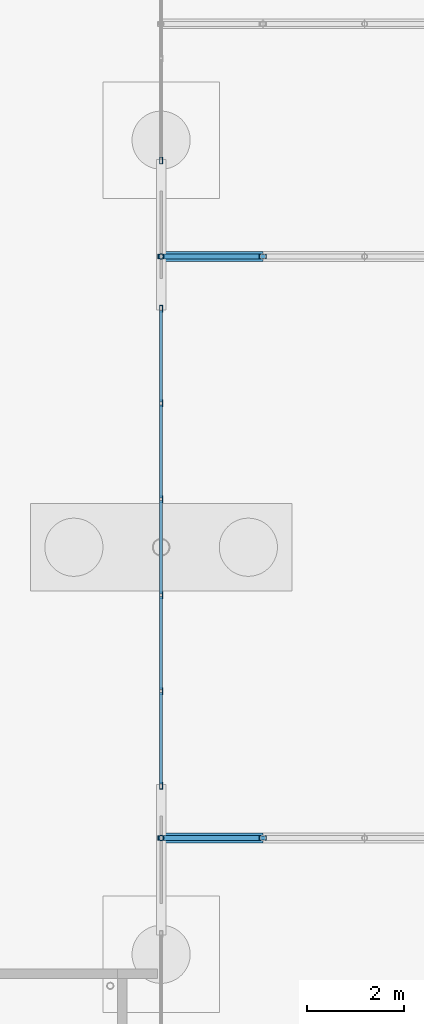
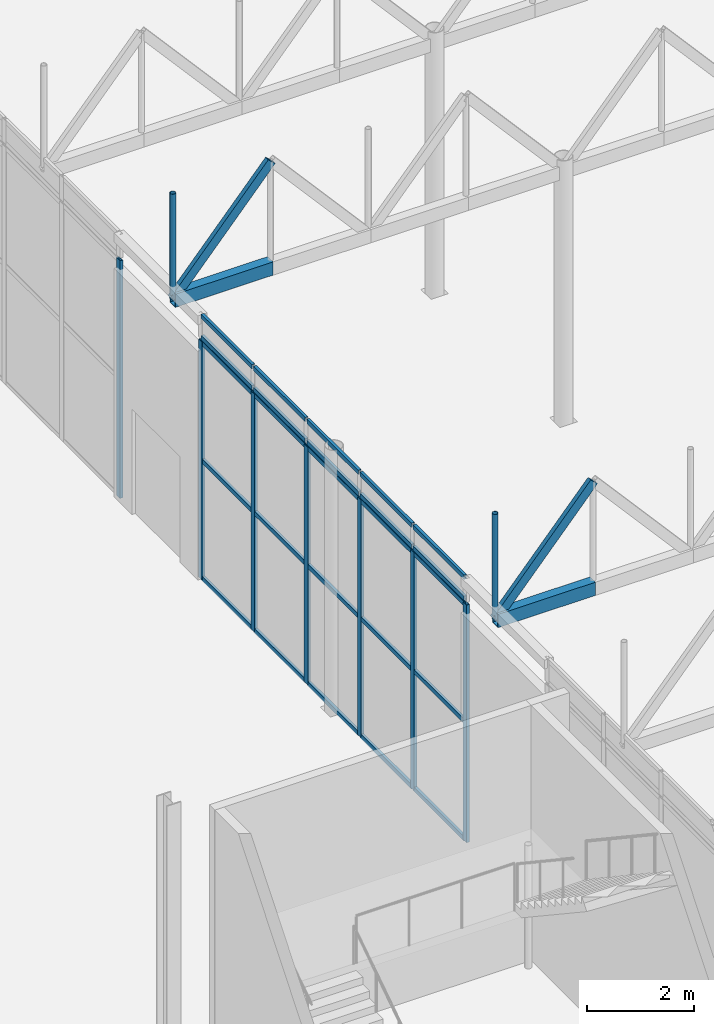
# One storey, part 111 of 212: 38 members, 3 elements without a shape of their own.
"""IFC4 building model written with IfcOpenShell, lengths in metres."""

import ifcopenshell
import ifcopenshell.guid

model = None  # the IFC model being written
_history = None  # IfcOwnerHistory: only IFC2X3 demands one
_inside = {}  # id of a spatial element -> (the spatial element, [elements in it])
_under = {}  # id of a project, library or spatial element -> (it, [spatial elements below it])
_declared = {}  # id of a project -> (the project, [libraries it declares])
_typed = {}  # id of a type object -> (the type object, [elements of that type])
_made_of = {}  # id of a material, layer set ... -> (it, [elements and type objects made of it])


def new_model(schema):
    """Start an empty IFC model of exactly this schema.

    Asked for "IFC4X3", IfcOpenShell would pick the latest addendum, in which some entities
    have other attributes; the version numbers below select the first issue.
    IFC2X3 requires an IfcOwnerHistory on every rooted entity: one is made here for all.
    """
    global model, _history
    if schema == "IFC4X3":
        model = ifcopenshell.file(schema_version=(4, 3, 0, 0))
    else:
        model = ifcopenshell.file(schema=schema)
    _inside.clear()
    _under.clear()
    _declared.clear()
    _typed.clear()
    _made_of.clear()
    _history = None
    if model.schema == "IFC2X3":
        org = make("IfcOrganization", Name="unknown")
        user = make(
            "IfcPersonAndOrganization",
            ThePerson=make("IfcPerson", FamilyName="unknown"),
            TheOrganization=org,
        )
        app = make(
            "IfcApplication",
            ApplicationDeveloper=org,
            Version="unknown",
            ApplicationFullName="unknown",
            ApplicationIdentifier="unknown",
        )
        _history = make(
            "IfcOwnerHistory",
            OwningUser=user,
            OwningApplication=app,
            ChangeAction="ADDED",
            CreationDate=0,
        )
    return model


def make(cls, **values):
    """One entity of the class cls with the attributes given. An attribute that is None is left unset."""
    return model.create_entity(
        cls, **{name: value for name, value in values.items() if value is not None}
    )


def rooted(cls, **values):
    """An entity with a GlobalId (a new one), such as an element, a storey or a relation."""
    return make(cls, GlobalId=ifcopenshell.guid.new(), OwnerHistory=_history, **values)


def si_unit(unit_type, name, prefix=None):
    """IfcSIUnit, for example si_unit("LENGTHUNIT", "METRE", prefix="MILLI")."""
    return make("IfcSIUnit", UnitType=unit_type, Prefix=prefix, Name=name)


def assignment(units):
    """IfcUnitAssignment: the units of a project."""
    return None if units is None else make("IfcUnitAssignment", Units=units)


def point(xyz):
    """IfcCartesianPoint."""
    return None if xyz is None else make("IfcCartesianPoint", Coordinates=xyz)


def direction(xyz):
    """IfcDirection."""
    return None if xyz is None else make("IfcDirection", DirectionRatios=xyz)


def frame(location, z_axis=None, x_axis=None):
    """IfcAxis2Placement3D, a coordinate frame: its origin and axes. An axis left out is left unset."""
    return make(
        "IfcAxis2Placement3D",
        Location=point(location),
        Axis=direction(z_axis),
        RefDirection=direction(x_axis),
    )


def frame_2d(location, x_axis=None):
    """IfcAxis2Placement2D, a coordinate frame in the plane: its origin and x axis."""
    return make(
        "IfcAxis2Placement2D", Location=point(location), RefDirection=direction(x_axis)
    )


def origin():
    """The frame at (0, 0, 0) with its axes left unset."""
    return frame((0.0, 0.0, 0.0))


def origin_2d():
    """The frame at (0, 0) in the plane with its x axis left unset."""
    return frame_2d((0.0, 0.0))


def place(relative_to, where):
    """IfcLocalPlacement: puts the frame where relative to a parent placement (None: the world)."""
    return make(
        "IfcLocalPlacement", PlacementRelTo=relative_to, RelativePlacement=where
    )


def context(
    kind, dimensions, precision=None, world=None, true_north=None, identifier=None
):
    """IfcGeometricRepresentationContext, for example the 3D "Model" context."""
    return make(
        "IfcGeometricRepresentationContext",
        ContextIdentifier=identifier,
        ContextType=kind,
        CoordinateSpaceDimension=dimensions,
        Precision=precision,
        WorldCoordinateSystem=world,
        TrueNorth=true_north,
    )


def subcontext(parent, identifier, kind, view, scale=None):
    """IfcGeometricRepresentationSubContext, for example "Body" below "Model"."""
    return make(
        "IfcGeometricRepresentationSubContext",
        ContextIdentifier=identifier,
        ContextType=kind,
        ParentContext=parent,
        TargetScale=scale,
        TargetView=view,
    )


def project(units=None, contexts=None):
    """IfcProject with its units and contexts."""
    return rooted(
        "IfcProject",
        Name="project",
        RepresentationContexts=contexts,
        UnitsInContext=assignment(units),
    )


def spatial(cls, under=None, at=None, **own):
    """A site, building, storey or space (cls), placed at a placement, below another one or the project."""
    s = rooted(cls, ObjectPlacement=at, **own)
    if under is not None:
        _under.setdefault(under.id(), (under, []))[1].append(s)
    return s


def profile(cls, at=None, kind="AREA", **sizes):
    """A parametric profile (cls). Its sizes go by their IFC names, for example OverallWidth=200.0."""
    return make(cls, ProfileType=kind, Position=at, **sizes)


def hollow_rectangle(**sizes):
    """IfcRectangleHollowProfileDef."""
    return profile("IfcRectangleHollowProfileDef", **sizes)


def hollow_circle(**sizes):
    """IfcCircleHollowProfileDef."""
    return profile("IfcCircleHollowProfileDef", **sizes)


def extrude(swept, where, along, depth):
    """IfcExtrudedAreaSolid: the profile swept, set in the frame where, extruded along a direction by depth."""
    return make(
        "IfcExtrudedAreaSolid",
        SweptArea=swept,
        Position=where,
        ExtrudedDirection=direction(along),
        Depth=depth,
    )


def shape(context_of_items, identifier, shape_type, items):
    """IfcShapeRepresentation: the items that make up one representation, for example the "Body"."""
    return make(
        "IfcShapeRepresentation",
        ContextOfItems=context_of_items,
        RepresentationIdentifier=identifier,
        RepresentationType=shape_type,
        Items=items,
    )


def material(Name=None, Category=None):
    """IfcMaterial."""
    return make("IfcMaterial", Name=Name, Category=Category)


def material_profile(
    of_material, cross_section, Name=None, Category=None, Priority=None
):
    """IfcMaterialProfile: a cross section and its material."""
    return make(
        "IfcMaterialProfile",
        Name=Name,
        Material=of_material,
        Profile=cross_section,
        Priority=Priority,
        Category=Category,
    )


def profile_set(profiles, Name=None, composite=None):
    """IfcMaterialProfileSet."""
    return make(
        "IfcMaterialProfileSet",
        Name=Name,
        MaterialProfiles=profiles,
        CompositeProfile=composite,
    )


def made_of(thing, what):
    """Note that an element or type object is made of a material, layer set ...; save() writes the relation."""
    if what is not None:
        _made_of.setdefault(what.id(), (what, []))[1].append(thing)
    return thing


def type_object(cls, material=None, **own):
    """A type object (cls), such as IfcWallType, which elements share."""
    return made_of(rooted(cls, **own), material)


def element(
    cls,
    number,
    at=None,
    inside=None,
    cuts=None,
    type_object=None,
    material=None,
    context=None,
    identifier="Body",
    shape_type=None,
    held_by="IfcProductDefinitionShape",
    body=None,
    shapes=None,
    **own,
):
    """One element of the class cls, such as IfcWall. Its Tag is "e" and its number.

    at: its placement. inside: the storey or other place that contains it. cuts: it is an
    opening in that element (IfcRelVoidsElement). A single representation is given by context,
    identifier, shape_type and body (its items); several are given by shapes. held_by: the class
    of the entity that holds the representations. save() writes the other relations.
    """
    e = rooted(cls, Tag="e%d" % number, ObjectPlacement=at, **own)
    if body is not None:
        shapes = [shape(context, identifier, shape_type, body)]
    if shapes is not None:
        e.Representation = make(held_by, Representations=shapes)
    if inside is not None:
        _inside.setdefault(inside.id(), (inside, []))[1].append(e)
    if cuts is not None:
        rooted(
            "IfcRelVoidsElement", RelatingBuildingElement=cuts, RelatedOpeningElement=e
        )
    if type_object is not None:
        _typed.setdefault(type_object.id(), (type_object, []))[1].append(e)
    return made_of(e, material)


def aggregate(whole, parts):
    """IfcRelAggregates: a whole, such as a stair, and the parts it consists of."""
    return rooted("IfcRelAggregates", RelatingObject=whole, RelatedObjects=parts)


def save(model, path):
    """Write the relations noted so far, then the file.

    IfcRelAggregates (storeys below a building ...), IfcRelContainedInSpatialStructure (elements
    in a storey), IfcRelDefinesByType, IfcRelAssociatesMaterial and IfcRelDeclares: one each for
    every whole, place, type object, material and project.
    """
    for whole, parts in _under.values():
        aggregate(whole, parts)
    for where, things in _inside.values():
        rooted(
            "IfcRelContainedInSpatialStructure",
            RelatedElements=things,
            RelatingStructure=where,
        )
    for kind, things in _typed.values():
        rooted("IfcRelDefinesByType", RelatedObjects=things, RelatingType=kind)
    for what, things in _made_of.values():
        rooted("IfcRelAssociatesMaterial", RelatedObjects=things, RelatingMaterial=what)
    for by, libraries in _declared.values():
        rooted("IfcRelDeclares", RelatingContext=by, RelatedDefinitions=libraries)
    model.write(path)


model = new_model("IFC4")

# Units and contexts
model_context = context("Model", 3, precision=1e-05, world=origin(), true_north=direction((0.0, 1.0)))
body_context = subcontext(model_context, "Body", "Model", "MODEL_VIEW")
ifc_project = project(units=[si_unit("LENGTHUNIT", "METRE"), si_unit("AREAUNIT", "SQUARE_METRE"), si_unit("VOLUMEUNIT", "CUBIC_METRE"), si_unit("PLANEANGLEUNIT", "RADIAN"), si_unit("MASSUNIT", "GRAM", prefix="KILO")], contexts=[model_context])

# Site, building, storey
site_placement = place(None, origin())
site = spatial("IfcSite", under=ifc_project, at=site_placement, CompositionType="ELEMENT")
building_placement = place(site_placement, origin())
building = spatial("IfcBuilding", under=site, at=building_placement, Name="Catenary Quay Ferry Terminal", CompositionType="ELEMENT")
storey_placement = place(building_placement, origin())
storey = spatial("IfcBuildingStorey", under=building, at=storey_placement, Name="L00", CompositionType="ELEMENT", Elevation=0.0)

# Members
ifc_material_1 = material(Name="Steel S355", Category="steel")
ifc_material_profile_1 = material_profile(ifc_material_1, hollow_rectangle(XDim=0.10009765625, YDim=0.199951171875, WallThickness=0.008056640625, at=origin_2d()), Name="RHS 200x100x8")
ifc_profile_set_1 = profile_set([ifc_material_profile_1], Name="Steel S355")
member_type_1 = type_object("IfcMemberType", Name="BR3 RHS 200x100x8", PredefinedType="BRACE", material=ifc_profile_set_1)
for number, where, z_axis, x_axis, name in (
    (1, (92.39990234375, 78.0, 5.699951171875), (0.65849918825, 0.0, 0.752581436839), (0.0, 1.0, 0.0), "Bridge diagonal BB1N-D01"),
    (2, (92.39990234375, 90.0, 5.699951171875), (0.65849918825, 0.0, 0.752581436839), (0.0, 1.0, 0.0), "Bridge diagonal BB2S-D01"),
):
    element("IfcMember", number, at=place(storey_placement, frame(where, z_axis=z_axis, x_axis=x_axis)), inside=storey, type_object=member_type_1, Name=name, PredefinedType="BRACE", context=body_context, shape_type="SweptSolid", body=[
        extrude(hollow_rectangle(XDim=0.10009765625, YDim=0.199951171875, WallThickness=0.008056640625, at=origin_2d()), origin(), (0.0, 0.0, 1.0), 3.189208984375),
    ])
ifc_material_2 = material(Name="Steel S355", Category="steel")
ifc_material_profile_2 = material_profile(ifc_material_2, hollow_circle(Radius=0.05712890625, WallThickness=0.00634765625, at=origin_2d()), Name="CHS 114.3x6.3")
ifc_profile_set_2 = profile_set([ifc_material_profile_2], Name="Steel S355")
member_type_2 = type_object("IfcMemberType", Name="HG1 CHS 114.3x6.3", PredefinedType="POST", material=ifc_profile_set_2)
for number, where, z_axis, x_axis, name in (
    (3, (92.39990234375, 78.0, 5.699951171875), (0.0, 0.0, 1.0), (1.0, 0.0, 0.0), "Bridge post BB1N-P01"),
    (4, (92.39990234375, 90.0, 5.699951171875), (0.0, 0.0, 1.0), (1.0, 0.0, 0.0), "Bridge post BB2S-P01"),
):
    element("IfcMember", number, at=place(storey_placement, frame(where, z_axis=z_axis, x_axis=x_axis)), inside=storey, type_object=member_type_2, Name=name, PredefinedType="POST", context=body_context, shape_type="SweptSolid", body=[
        extrude(hollow_circle(Radius=0.05712890625, WallThickness=0.00634765625, at=origin_2d()), origin(), (0.0, 0.0, 1.0), 2.400146484375),
    ])

# Curtain wall, members
ifc_material_3 = material(Name="Aluminium and glass", Category="aluminium")
curtain_wall_type_1 = type_object("IfcCurtainWallType", Name="CWG", PredefinedType="NOTDEFINED", material=ifc_material_3)
curtain_wall_1_placement = place(storey_placement, origin())
curtain_wall_1 = element("IfcCurtainWall", 5, at=curtain_wall_1_placement, inside=storey, type_object=curtain_wall_type_1, Name="Gable arrivals hall curtain wall CW7", PredefinedType="NOTDEFINED")
ifc_material_4 = material(Name="Aluminium", Category="aluminium")
ifc_material_profile_3 = material_profile(ifc_material_4, hollow_rectangle(XDim=0.06005859375, YDim=0.139892578125, WallThickness=0.006103515625, at=origin_2d()), Name="MU2")
ifc_profile_set_3 = profile_set([ifc_material_profile_3], Name="Aluminium")
member_type_3 = type_object("IfcMemberType", Name="MU2", PredefinedType="MULLION", material=ifc_profile_set_3)
member_1_placement = place(storey_placement, frame((92.39990234375, 79.080078125, 0.0), z_axis=(0.0, 0.0, 1.0), x_axis=(-1.0, 0.0, 0.0)))
member_1 = element("IfcMember", 6, at=member_1_placement, type_object=member_type_3, Name="CW7 mullion 1", PredefinedType="MULLION", context=body_context, shape_type="SweptSolid", body=[
    extrude(hollow_rectangle(XDim=0.06005859375, YDim=0.139892578125, WallThickness=0.006103515625, at=origin_2d()), origin(), (0.0, 0.0, 1.0), 5.39990234375),
])
member_2_placement = place(storey_placement, frame((92.39990234375, 81.030029296875, 0.0), z_axis=(0.0, 0.0, 1.0), x_axis=(-1.0, 0.0, 0.0)))
member_2 = element("IfcMember", 7, at=member_2_placement, type_object=member_type_3, Name="CW7 mullion 2", PredefinedType="MULLION", context=body_context, shape_type="SweptSolid", body=[
    extrude(hollow_rectangle(XDim=0.06005859375, YDim=0.139892578125, WallThickness=0.006103515625, at=origin_2d()), origin(), (0.0, 0.0, 1.0), 5.39990234375),
])
member_3_placement = place(storey_placement, frame((92.39990234375, 83.010009765625, 0.0), z_axis=(0.0, 0.0, 1.0), x_axis=(-1.0, 0.0, 0.0)))
member_3 = element("IfcMember", 8, at=member_3_placement, type_object=member_type_3, Name="CW7 mullion 3", PredefinedType="MULLION", context=body_context, shape_type="SweptSolid", body=[
    extrude(hollow_rectangle(XDim=0.06005859375, YDim=0.139892578125, WallThickness=0.006103515625, at=origin_2d()), origin(), (0.0, 0.0, 1.0), 5.39990234375),
])
member_4_placement = place(storey_placement, frame((92.39990234375, 84.989990234375, 0.0), z_axis=(0.0, 0.0, 1.0), x_axis=(-1.0, 0.0, 0.0)))
member_4 = element("IfcMember", 9, at=member_4_placement, type_object=member_type_3, Name="CW7 mullion 4", PredefinedType="MULLION", context=body_context, shape_type="SweptSolid", body=[
    extrude(hollow_rectangle(XDim=0.06005859375, YDim=0.139892578125, WallThickness=0.006103515625, at=origin_2d()), origin(), (0.0, 0.0, 1.0), 5.39990234375),
])
member_5_placement = place(storey_placement, frame((92.39990234375, 86.969970703125, 0.0), z_axis=(0.0, 0.0, 1.0), x_axis=(-1.0, 0.0, 0.0)))
member_5 = element("IfcMember", 10, at=member_5_placement, type_object=member_type_3, Name="CW7 mullion 5", PredefinedType="MULLION", context=body_context, shape_type="SweptSolid", body=[
    extrude(hollow_rectangle(XDim=0.06005859375, YDim=0.139892578125, WallThickness=0.006103515625, at=origin_2d()), origin(), (0.0, 0.0, 1.0), 5.39990234375),
])
member_6_placement = place(storey_placement, frame((92.39990234375, 88.919921875, 0.0), z_axis=(0.0, 0.0, 1.0), x_axis=(-1.0, 0.0, 0.0)))
member_6 = element("IfcMember", 11, at=member_6_placement, type_object=member_type_3, Name="CW7 mullion 6", PredefinedType="MULLION", context=body_context, shape_type="SweptSolid", body=[
    extrude(hollow_rectangle(XDim=0.06005859375, YDim=0.139892578125, WallThickness=0.006103515625, at=origin_2d()), origin(), (0.0, 0.0, 1.0), 5.39990234375),
])

# Curtain wall, member
curtain_wall_2_placement = place(storey_placement, origin())
curtain_wall_2 = element("IfcCurtainWall", 12, at=curtain_wall_2_placement, inside=storey, type_object=curtain_wall_type_1, Name="Gable arrivals hall curtain wall CW8", PredefinedType="NOTDEFINED")
member_7_placement = place(storey_placement, frame((92.39990234375, 91.97998046875, 0.0), z_axis=(0.0, 0.0, 1.0), x_axis=(-1.0, 0.0, 0.0)))
member_7 = element("IfcMember", 13, at=member_7_placement, type_object=member_type_3, Name="CW8 mullion 1", PredefinedType="MULLION", context=body_context, shape_type="SweptSolid", body=[
    extrude(hollow_rectangle(XDim=0.06005859375, YDim=0.139892578125, WallThickness=0.006103515625, at=origin_2d()), origin(), (0.0, 0.0, 1.0), 5.39990234375),
])
aggregate(curtain_wall_2, [member_7])

# Members
ifc_material_5 = material(Name="Steel S355", Category="steel")
ifc_material_profile_4 = material_profile(ifc_material_5, hollow_rectangle(XDim=0.199951171875, YDim=0.300048828125, WallThickness=0.012451171875, at=origin_2d()), Name="RHS 300x200x12.5")
ifc_profile_set_4 = profile_set([ifc_material_profile_4], Name="Steel S355")
member_type_4 = type_object("IfcMemberType", Name="TC1 RHS 300x200x12.5", PredefinedType="CHORD", material=ifc_profile_set_4)
for number, where, z_axis, x_axis, name in (
    (14, (92.39990234375, 78.0, 5.699951171875), (1.0, 0.0, 0.0), (0.0, 1.0, 0.0), "Bridge bottom chord BB1N-BC01"),
    (15, (92.39990234375, 90.0, 5.699951171875), (1.0, 0.0, 0.0), (0.0, 1.0, 0.0), "Bridge bottom chord BB2S-BC01"),
):
    element("IfcMember", number, at=place(storey_placement, frame(where, z_axis=z_axis, x_axis=x_axis)), inside=storey, type_object=member_type_4, Name=name, PredefinedType="CHORD", context=body_context, shape_type="SweptSolid", body=[
        extrude(hollow_rectangle(XDim=0.199951171875, YDim=0.300048828125, WallThickness=0.012451171875, at=origin_2d()), origin(), (0.0, 0.0, 1.0), 2.10009765625),
    ])

# Member
ifc_material_6 = material(Name="Aluminium", Category="aluminium")
ifc_material_profile_5 = material_profile(ifc_material_6, hollow_rectangle(XDim=0.06005859375, YDim=0.10009765625, WallThickness=0.0048828125, at=origin_2d()), Name="TR2")
ifc_profile_set_5 = profile_set([ifc_material_profile_5], Name="Aluminium")
member_type_5 = type_object("IfcMemberType", Name="TR2", PredefinedType="USERDEFINED", material=ifc_profile_set_5)
member_8_placement = place(storey_placement, frame((92.39990234375, 79.110107421875, 0.030029296875), z_axis=(0.0, 1.0, 0.0), x_axis=(-1.0, 0.0, 0.0)))
member_8 = element("IfcMember", 16, at=member_8_placement, type_object=member_type_5, Name="CW7 transom 1.1", ObjectType="TRANSOM", PredefinedType="USERDEFINED", context=body_context, shape_type="SweptSolid", body=[
    extrude(hollow_rectangle(XDim=0.06005859375, YDim=0.10009765625, WallThickness=0.0048828125, at=origin_2d()), origin(), (0.0, 0.0, 1.0), 1.889892578125),
])

member_9_placement = place(storey_placement, frame((92.39990234375, 79.110107421875, 2.699951171875), z_axis=(0.0, 1.0, 0.0), x_axis=(-1.0, 0.0, 0.0)))
member_9 = element("IfcMember", 17, at=member_9_placement, type_object=member_type_5, Name="CW7 transom 1.2", ObjectType="TRANSOM", PredefinedType="USERDEFINED", context=body_context, shape_type="SweptSolid", body=[
    extrude(hollow_rectangle(XDim=0.06005859375, YDim=0.10009765625, WallThickness=0.0048828125, at=origin_2d()), origin(), (0.0, 0.0, 1.0), 1.889892578125),
])

member_10_placement = place(storey_placement, frame((92.39990234375, 79.110107421875, 5.3701171875), z_axis=(0.0, 1.0, 0.0), x_axis=(-1.0, 0.0, 0.0)))
member_10 = element("IfcMember", 18, at=member_10_placement, type_object=member_type_5, Name="CW7 transom 1.3", ObjectType="TRANSOM", PredefinedType="USERDEFINED", context=body_context, shape_type="SweptSolid", body=[
    extrude(hollow_rectangle(XDim=0.06005859375, YDim=0.10009765625, WallThickness=0.0048828125, at=origin_2d()), origin(), (0.0, 0.0, 1.0), 1.889892578125),
])

member_11_placement = place(storey_placement, frame((92.39990234375, 81.06005859375, 0.030029296875), z_axis=(0.0, 1.0, 0.0), x_axis=(-1.0, 0.0, 0.0)))
member_11 = element("IfcMember", 19, at=member_11_placement, type_object=member_type_5, Name="CW7 transom 2.1", ObjectType="TRANSOM", PredefinedType="USERDEFINED", context=body_context, shape_type="SweptSolid", body=[
    extrude(hollow_rectangle(XDim=0.06005859375, YDim=0.10009765625, WallThickness=0.0048828125, at=origin_2d()), origin(), (0.0, 0.0, 1.0), 1.919921875),
])

member_12_placement = place(storey_placement, frame((92.39990234375, 81.06005859375, 2.699951171875), z_axis=(0.0, 1.0, 0.0), x_axis=(-1.0, 0.0, 0.0)))
member_12 = element("IfcMember", 20, at=member_12_placement, type_object=member_type_5, Name="CW7 transom 2.2", ObjectType="TRANSOM", PredefinedType="USERDEFINED", context=body_context, shape_type="SweptSolid", body=[
    extrude(hollow_rectangle(XDim=0.06005859375, YDim=0.10009765625, WallThickness=0.0048828125, at=origin_2d()), origin(), (0.0, 0.0, 1.0), 1.919921875),
])

member_13_placement = place(storey_placement, frame((92.39990234375, 81.06005859375, 5.3701171875), z_axis=(0.0, 1.0, 0.0), x_axis=(-1.0, 0.0, 0.0)))
member_13 = element("IfcMember", 21, at=member_13_placement, type_object=member_type_5, Name="CW7 transom 2.3", ObjectType="TRANSOM", PredefinedType="USERDEFINED", context=body_context, shape_type="SweptSolid", body=[
    extrude(hollow_rectangle(XDim=0.06005859375, YDim=0.10009765625, WallThickness=0.0048828125, at=origin_2d()), origin(), (0.0, 0.0, 1.0), 1.919921875),
])

member_14_placement = place(storey_placement, frame((92.39990234375, 83.0400390625, 0.030029296875), z_axis=(0.0, 1.0, 0.0), x_axis=(-1.0, 0.0, 0.0)))
member_14 = element("IfcMember", 22, at=member_14_placement, type_object=member_type_5, Name="CW7 transom 3.1", ObjectType="TRANSOM", PredefinedType="USERDEFINED", context=body_context, shape_type="SweptSolid", body=[
    extrude(hollow_rectangle(XDim=0.06005859375, YDim=0.10009765625, WallThickness=0.0048828125, at=origin_2d()), origin(), (0.0, 0.0, 1.0), 1.919921875),
])

member_15_placement = place(storey_placement, frame((92.39990234375, 83.0400390625, 2.699951171875), z_axis=(0.0, 1.0, 0.0), x_axis=(-1.0, 0.0, 0.0)))
member_15 = element("IfcMember", 23, at=member_15_placement, type_object=member_type_5, Name="CW7 transom 3.2", ObjectType="TRANSOM", PredefinedType="USERDEFINED", context=body_context, shape_type="SweptSolid", body=[
    extrude(hollow_rectangle(XDim=0.06005859375, YDim=0.10009765625, WallThickness=0.0048828125, at=origin_2d()), origin(), (0.0, 0.0, 1.0), 1.919921875),
])

member_16_placement = place(storey_placement, frame((92.39990234375, 83.0400390625, 5.3701171875), z_axis=(0.0, 1.0, 0.0), x_axis=(-1.0, 0.0, 0.0)))
member_16 = element("IfcMember", 24, at=member_16_placement, type_object=member_type_5, Name="CW7 transom 3.3", ObjectType="TRANSOM", PredefinedType="USERDEFINED", context=body_context, shape_type="SweptSolid", body=[
    extrude(hollow_rectangle(XDim=0.06005859375, YDim=0.10009765625, WallThickness=0.0048828125, at=origin_2d()), origin(), (0.0, 0.0, 1.0), 1.919921875),
])

member_17_placement = place(storey_placement, frame((92.39990234375, 85.02001953125, 0.030029296875), z_axis=(0.0, 1.0, 0.0), x_axis=(-1.0, 0.0, 0.0)))
member_17 = element("IfcMember", 25, at=member_17_placement, type_object=member_type_5, Name="CW7 transom 4.1", ObjectType="TRANSOM", PredefinedType="USERDEFINED", context=body_context, shape_type="SweptSolid", body=[
    extrude(hollow_rectangle(XDim=0.06005859375, YDim=0.10009765625, WallThickness=0.0048828125, at=origin_2d()), origin(), (0.0, 0.0, 1.0), 1.919921875),
])

member_18_placement = place(storey_placement, frame((92.39990234375, 85.02001953125, 2.699951171875), z_axis=(0.0, 1.0, 0.0), x_axis=(-1.0, 0.0, 0.0)))
member_18 = element("IfcMember", 26, at=member_18_placement, type_object=member_type_5, Name="CW7 transom 4.2", ObjectType="TRANSOM", PredefinedType="USERDEFINED", context=body_context, shape_type="SweptSolid", body=[
    extrude(hollow_rectangle(XDim=0.06005859375, YDim=0.10009765625, WallThickness=0.0048828125, at=origin_2d()), origin(), (0.0, 0.0, 1.0), 1.919921875),
])

member_19_placement = place(storey_placement, frame((92.39990234375, 85.02001953125, 5.3701171875), z_axis=(0.0, 1.0, 0.0), x_axis=(-1.0, 0.0, 0.0)))
member_19 = element("IfcMember", 27, at=member_19_placement, type_object=member_type_5, Name="CW7 transom 4.3", ObjectType="TRANSOM", PredefinedType="USERDEFINED", context=body_context, shape_type="SweptSolid", body=[
    extrude(hollow_rectangle(XDim=0.06005859375, YDim=0.10009765625, WallThickness=0.0048828125, at=origin_2d()), origin(), (0.0, 0.0, 1.0), 1.919921875),
])

member_20_placement = place(storey_placement, frame((92.39990234375, 87.0, 0.030029296875), z_axis=(0.0, 1.0, 0.0), x_axis=(-1.0, 0.0, 0.0)))
member_20 = element("IfcMember", 28, at=member_20_placement, type_object=member_type_5, Name="CW7 transom 5.1", ObjectType="TRANSOM", PredefinedType="USERDEFINED", context=body_context, shape_type="SweptSolid", body=[
    extrude(hollow_rectangle(XDim=0.06005859375, YDim=0.10009765625, WallThickness=0.0048828125, at=origin_2d()), origin(), (0.0, 0.0, 1.0), 1.889892578125),
])

member_21_placement = place(storey_placement, frame((92.39990234375, 87.0, 2.699951171875), z_axis=(0.0, 1.0, 0.0), x_axis=(-1.0, 0.0, 0.0)))
member_21 = element("IfcMember", 29, at=member_21_placement, type_object=member_type_5, Name="CW7 transom 5.2", ObjectType="TRANSOM", PredefinedType="USERDEFINED", context=body_context, shape_type="SweptSolid", body=[
    extrude(hollow_rectangle(XDim=0.06005859375, YDim=0.10009765625, WallThickness=0.0048828125, at=origin_2d()), origin(), (0.0, 0.0, 1.0), 1.889892578125),
])

member_22_placement = place(storey_placement, frame((92.39990234375, 87.0, 5.3701171875), z_axis=(0.0, 1.0, 0.0), x_axis=(-1.0, 0.0, 0.0)))
member_22 = element("IfcMember", 30, at=member_22_placement, type_object=member_type_5, Name="CW7 transom 5.3", ObjectType="TRANSOM", PredefinedType="USERDEFINED", context=body_context, shape_type="SweptSolid", body=[
    extrude(hollow_rectangle(XDim=0.06005859375, YDim=0.10009765625, WallThickness=0.0048828125, at=origin_2d()), origin(), (0.0, 0.0, 1.0), 1.889892578125),
])

aggregate(curtain_wall_1, [member_1, member_2, member_3, member_4, member_5, member_6, member_8, member_9, member_10, member_11, member_12, member_13, member_14, member_15, member_16, member_17, member_18, member_19, member_20, member_21, member_22])

# Curtain wall, members
ifc_material_7 = material(Name="Aluminium and glass", Category="aluminium")
curtain_wall_type_2 = type_object("IfcCurtainWallType", Name="CWQ", PredefinedType="NOTDEFINED", material=ifc_material_7)
curtain_wall_3_placement = place(storey_placement, origin())
curtain_wall_3 = element("IfcCurtainWall", 31, at=curtain_wall_3_placement, inside=storey, type_object=curtain_wall_type_2, Name="Gable band arrivals hall curtain wall CW171", PredefinedType="NOTDEFINED")
member_23_placement = place(storey_placement, frame((92.39990234375, 79.110107421875, 5.489990234375), z_axis=(0.0, 1.0, 0.0), x_axis=(-1.0, 0.0, 0.0)))
member_23 = element("IfcMember", 32, at=member_23_placement, type_object=member_type_5, Name="CW171 transom 1.1", ObjectType="TRANSOM", PredefinedType="USERDEFINED", context=body_context, shape_type="SweptSolid", body=[
    extrude(hollow_rectangle(XDim=0.06005859375, YDim=0.10009765625, WallThickness=0.0048828125, at=origin_2d()), origin(), (0.0, 0.0, 1.0), 1.889892578125),
])
member_24_placement = place(storey_placement, frame((92.39990234375, 79.110107421875, 5.969970703125), z_axis=(0.0, 1.0, 0.0), x_axis=(-1.0, 0.0, 0.0)))
member_24 = element("IfcMember", 33, at=member_24_placement, type_object=member_type_5, Name="CW171 transom 1.2", ObjectType="TRANSOM", PredefinedType="USERDEFINED", context=body_context, shape_type="SweptSolid", body=[
    extrude(hollow_rectangle(XDim=0.06005859375, YDim=0.10009765625, WallThickness=0.0048828125, at=origin_2d()), origin(), (0.0, 0.0, 1.0), 1.889892578125),
])
member_25_placement = place(storey_placement, frame((92.39990234375, 81.06005859375, 5.489990234375), z_axis=(0.0, 1.0, 0.0), x_axis=(-1.0, 0.0, 0.0)))
member_25 = element("IfcMember", 34, at=member_25_placement, type_object=member_type_5, Name="CW171 transom 2.1", ObjectType="TRANSOM", PredefinedType="USERDEFINED", context=body_context, shape_type="SweptSolid", body=[
    extrude(hollow_rectangle(XDim=0.06005859375, YDim=0.10009765625, WallThickness=0.0048828125, at=origin_2d()), origin(), (0.0, 0.0, 1.0), 1.919921875),
])
member_26_placement = place(storey_placement, frame((92.39990234375, 81.06005859375, 5.969970703125), z_axis=(0.0, 1.0, 0.0), x_axis=(-1.0, 0.0, 0.0)))
member_26 = element("IfcMember", 35, at=member_26_placement, type_object=member_type_5, Name="CW171 transom 2.2", ObjectType="TRANSOM", PredefinedType="USERDEFINED", context=body_context, shape_type="SweptSolid", body=[
    extrude(hollow_rectangle(XDim=0.06005859375, YDim=0.10009765625, WallThickness=0.0048828125, at=origin_2d()), origin(), (0.0, 0.0, 1.0), 1.919921875),
])
member_27_placement = place(storey_placement, frame((92.39990234375, 83.0400390625, 5.489990234375), z_axis=(0.0, 1.0, 0.0), x_axis=(-1.0, 0.0, 0.0)))
member_27 = element("IfcMember", 36, at=member_27_placement, type_object=member_type_5, Name="CW171 transom 3.1", ObjectType="TRANSOM", PredefinedType="USERDEFINED", context=body_context, shape_type="SweptSolid", body=[
    extrude(hollow_rectangle(XDim=0.06005859375, YDim=0.10009765625, WallThickness=0.0048828125, at=origin_2d()), origin(), (0.0, 0.0, 1.0), 1.919921875),
])
member_28_placement = place(storey_placement, frame((92.39990234375, 83.0400390625, 5.969970703125), z_axis=(0.0, 1.0, 0.0), x_axis=(-1.0, 0.0, 0.0)))
member_28 = element("IfcMember", 37, at=member_28_placement, type_object=member_type_5, Name="CW171 transom 3.2", ObjectType="TRANSOM", PredefinedType="USERDEFINED", context=body_context, shape_type="SweptSolid", body=[
    extrude(hollow_rectangle(XDim=0.06005859375, YDim=0.10009765625, WallThickness=0.0048828125, at=origin_2d()), origin(), (0.0, 0.0, 1.0), 1.919921875),
])
member_29_placement = place(storey_placement, frame((92.39990234375, 85.02001953125, 5.489990234375), z_axis=(0.0, 1.0, 0.0), x_axis=(-1.0, 0.0, 0.0)))
member_29 = element("IfcMember", 38, at=member_29_placement, type_object=member_type_5, Name="CW171 transom 4.1", ObjectType="TRANSOM", PredefinedType="USERDEFINED", context=body_context, shape_type="SweptSolid", body=[
    extrude(hollow_rectangle(XDim=0.06005859375, YDim=0.10009765625, WallThickness=0.0048828125, at=origin_2d()), origin(), (0.0, 0.0, 1.0), 1.919921875),
])
member_30_placement = place(storey_placement, frame((92.39990234375, 85.02001953125, 5.969970703125), z_axis=(0.0, 1.0, 0.0), x_axis=(-1.0, 0.0, 0.0)))
member_30 = element("IfcMember", 39, at=member_30_placement, type_object=member_type_5, Name="CW171 transom 4.2", ObjectType="TRANSOM", PredefinedType="USERDEFINED", context=body_context, shape_type="SweptSolid", body=[
    extrude(hollow_rectangle(XDim=0.06005859375, YDim=0.10009765625, WallThickness=0.0048828125, at=origin_2d()), origin(), (0.0, 0.0, 1.0), 1.919921875),
])
member_31_placement = place(storey_placement, frame((92.39990234375, 87.0, 5.489990234375), z_axis=(0.0, 1.0, 0.0), x_axis=(-1.0, 0.0, 0.0)))
member_31 = element("IfcMember", 40, at=member_31_placement, type_object=member_type_5, Name="CW171 transom 5.1", ObjectType="TRANSOM", PredefinedType="USERDEFINED", context=body_context, shape_type="SweptSolid", body=[
    extrude(hollow_rectangle(XDim=0.06005859375, YDim=0.10009765625, WallThickness=0.0048828125, at=origin_2d()), origin(), (0.0, 0.0, 1.0), 1.889892578125),
])
member_32_placement = place(storey_placement, frame((92.39990234375, 87.0, 5.969970703125), z_axis=(0.0, 1.0, 0.0), x_axis=(-1.0, 0.0, 0.0)))
member_32 = element("IfcMember", 41, at=member_32_placement, type_object=member_type_5, Name="CW171 transom 5.2", ObjectType="TRANSOM", PredefinedType="USERDEFINED", context=body_context, shape_type="SweptSolid", body=[
    extrude(hollow_rectangle(XDim=0.06005859375, YDim=0.10009765625, WallThickness=0.0048828125, at=origin_2d()), origin(), (0.0, 0.0, 1.0), 1.889892578125),
])
aggregate(curtain_wall_3, [member_23, member_24, member_25, member_26, member_27, member_28, member_29, member_30, member_31, member_32])

save(model, "model.ifc")
